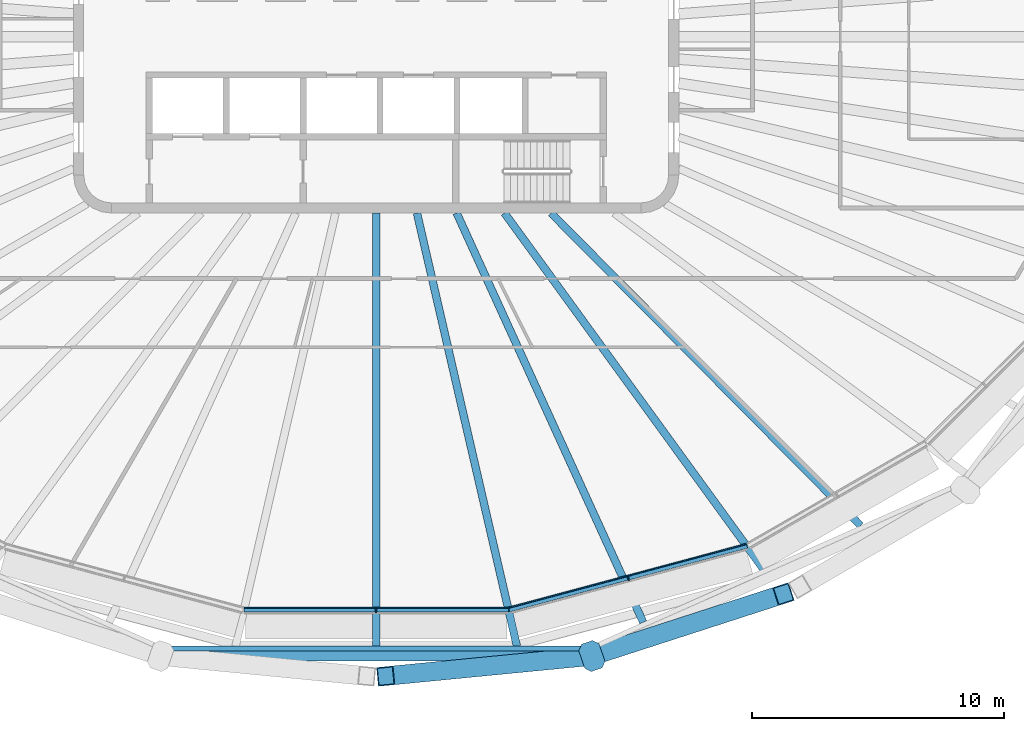
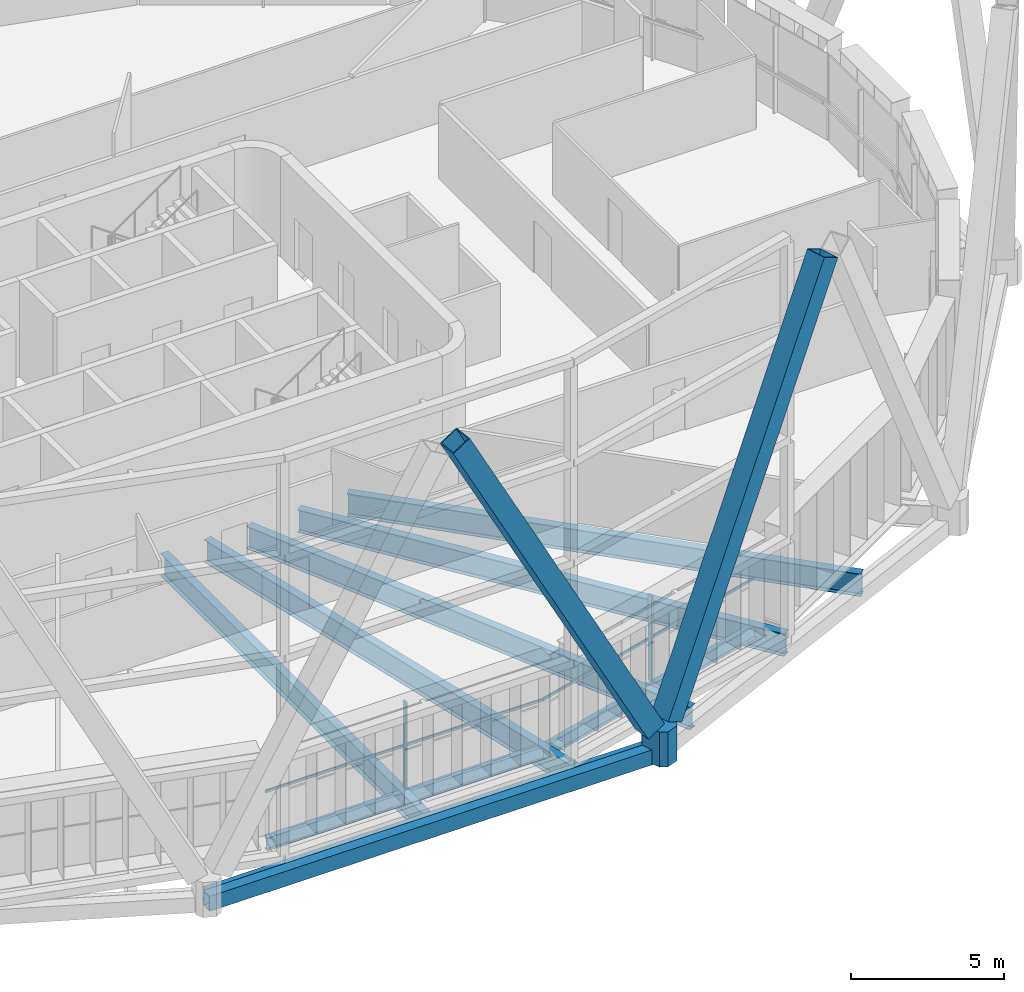
# One storey, part 4 of 22: 9 beams, 7 members, 2 elements without a shape of their own.
"""IFC4 building model written with IfcOpenShell, lengths in metres."""

from ifc_helpers import new_model, si_unit, direction, frame, origin, origin_2d, place, context, subcontext, project, spatial, polyline, rectangle, hollow_rectangle, i_section, outline, extrude, material, layer, layer_set, material_profile, profile_set, type_object, element, aggregate, save


model = new_model("IFC4")

# Units and contexts
model_context = context("Model", 3, precision=1e-05, world=origin(), true_north=direction((0.0, 1.0)))
body_context = subcontext(model_context, "Body", "Model", "MODEL_VIEW")
ifc_project = project(units=[si_unit("LENGTHUNIT", "METRE"), si_unit("AREAUNIT", "SQUARE_METRE"), si_unit("VOLUMEUNIT", "CUBIC_METRE"), si_unit("PLANEANGLEUNIT", "RADIAN"), si_unit("MASSUNIT", "GRAM", prefix="KILO")], contexts=[model_context])

# Site, building, storey
site_placement = place(None, origin())
site = spatial("IfcSite", under=ifc_project, at=site_placement, CompositionType="ELEMENT")
building_placement = place(site_placement, origin())
building = spatial("IfcBuilding", under=site, at=building_placement, Name="Sahrelin Media Tower", CompositionType="ELEMENT")
storey_placement = place(building_placement, frame((0.0, 0.0, 233.60009765625)))
storey = spatial("IfcBuildingStorey", under=building, at=storey_placement, Name="L50", CompositionType="ELEMENT", Elevation=233.60009765625)

# Members
ifc_material_1 = material(Name="Steel S460", Category="steel")
ifc_material_profile_1 = material_profile(ifc_material_1, hollow_rectangle(XDim=0.75, YDim=0.75, WallThickness=0.0400390625, at=origin_2d()), Name="Diagrid diagonal DG6")
ifc_profile_set_1 = profile_set([ifc_material_profile_1], Name="Steel S460")
member_type_1 = type_object("IfcMemberType", Name="Diagrid diagonal DG6", PredefinedType="BRACE", material=ifc_profile_set_1)
member_1_placement = place(storey_placement, frame((8.17822265625, -24.603759765625, 0.699951171875), z_axis=(-0.4709090869, -0.045846052821, 0.880989654488), x_axis=(0.096898351579, -0.995294282844, 0.0)))
element("IfcMember", 1, at=member_1_placement, inside=storey, type_object=member_type_1, Name="Diagrid diagonal D11-18", PredefinedType="BRACE", context=body_context, shape_type="SweptSolid", body=[
    extrude(hollow_rectangle(XDim=0.75, YDim=0.75, WallThickness=0.0400390625, at=origin_2d()), origin(), (0.0, 0.0, 1.0), 16.572021484375),
])
member_2_placement = place(storey_placement, frame((8.900146484375, -24.454833984375, 0.699951171875), z_axis=(0.440336452055, 0.142395958877, 0.886468950323), x_axis=(-0.307691505717, 0.951486172947, 0.0)))
element("IfcMember", 2, at=member_2_placement, inside=storey, type_object=member_type_1, Name="Diagrid diagonal D11-19", PredefinedType="BRACE", context=body_context, shape_type="SweptSolid", body=[
    extrude(hollow_rectangle(XDim=0.75, YDim=0.75, WallThickness=0.0400390625, at=origin_2d()), origin(), (0.0, 0.0, 1.0), 16.4697265625),
])
ifc_material_profile_2 = material_profile(ifc_material_1, outline(polyline([(0.375, -0.425048828125), (0.574951171875, -0.22509765625), (0.574951171875, 0.22509765625), (0.375, 0.425048828125), (-0.375, 0.425048828125), (-0.574951171875, 0.22509765625), (-0.574951171875, -0.22509765625), (-0.375, -0.425048828125), (0.375, -0.425048828125)])), Name="Diagrid node block 1150")
ifc_profile_set_2 = profile_set([ifc_material_profile_2], Name="Steel S460")
member_type_2 = type_object("IfcMemberType", Name="Diagrid node block 1150", PredefinedType="USERDEFINED", material=ifc_profile_set_2)
member_3_placement = place(storey_placement, frame((8.552490234375, -24.5673828125, -0.7001953125), z_axis=(0.0, 0.0, 1.0), x_axis=(0.328769398381, -0.944410230085, 0.0)))
element("IfcMember", 3, at=member_3_placement, inside=storey, type_object=member_type_2, Name="Diagrid node N11-09", ObjectType="NODE", PredefinedType="USERDEFINED", context=body_context, shape_type="SweptSolid", body=[
    extrude(outline(polyline([(0.375, -0.425048828125), (0.574951171875, -0.22509765625), (0.574951171875, 0.22509765625), (0.375, 0.425048828125), (-0.375, 0.425048828125), (-0.574951171875, 0.22509765625), (-0.574951171875, -0.22509765625), (-0.375, -0.425048828125), (0.375, -0.425048828125)])), origin(), (0.0, 0.0, 1.0), 1.400146484375),
])

# Beams
ifc_material_profile_3 = material_profile(ifc_material_1, hollow_rectangle(XDim=0.39990234375, YDim=0.60009765625, WallThickness=0.030029296875, at=origin_2d()), Name="Diagrid ring beam RB1")
ifc_profile_set_3 = profile_set([ifc_material_profile_3], Name="Steel S460")
beam_type_1 = type_object("IfcBeamType", Name="Diagrid ring beam RB1", PredefinedType="BEAM", material=ifc_profile_set_3)
beam_1_placement = place(storey_placement, frame((-8.552490234375, -24.5673828125, -0.4501953125), z_axis=(1.0, 0.0, 0.0), x_axis=(0.0, 1.0, 0.0)))
element("IfcBeam", 4, at=beam_1_placement, inside=storey, type_object=beam_type_1, Name="Diagrid ring beam RB11-08", PredefinedType="BEAM", context=body_context, shape_type="SweptSolid", body=[
    extrude(hollow_rectangle(XDim=0.39990234375, YDim=0.60009765625, WallThickness=0.030029296875, at=origin_2d()), origin(), (0.0, 0.0, 1.0), 17.10498046875),
])
ifc_material_2 = material(Name="Steel S355", Category="steel")
ifc_material_profile_4 = material_profile(ifc_material_2, i_section(OverallWidth=0.208740234375, OverallDepth=0.5283203125, WebThickness=0.009521484375, FlangeThickness=0.01318359375, FilletRadius=0.0126953125, at=origin_2d()), Name="UB 533x210x82")
ifc_profile_set_4 = profile_set([ifc_material_profile_4], Name="Steel S355")
beam_type_2 = type_object("IfcBeamType", Name="Edge beam EB6", PredefinedType="BEAM", material=ifc_profile_set_4)
beam_2_placement = place(storey_placement, frame((14.701904296875, -20.188720703125, -0.414306640625), z_axis=(-0.965929187001, -0.258806502428, 0.0), x_axis=(0.258806502428, -0.965929187001, 0.0)))
element("IfcBeam", 5, at=beam_2_placement, inside=storey, type_object=beam_type_2, Name="Edge beam L50-06", PredefinedType="BEAM", context=body_context, shape_type="SweptSolid", body=[
    extrude(i_section(OverallWidth=0.208740234375, OverallDepth=0.5283203125, WebThickness=0.009521484375, FlangeThickness=0.01318359375, FilletRadius=0.0126953125, at=origin_2d()), origin(), (0.0, 0.0, 1.0), 9.762451171875),
])
beam_3_placement = place(storey_placement, frame((5.243408203125, -22.71923828125, -0.414306640625), z_axis=(-1.0, 0.0, 0.0), x_axis=(0.0, -1.0, 0.0)))
element("IfcBeam", 6, at=beam_3_placement, inside=storey, type_object=beam_type_2, Name="Edge beam L50-07", PredefinedType="BEAM", context=body_context, shape_type="SweptSolid", body=[
    extrude(i_section(OverallWidth=0.208740234375, OverallDepth=0.5283203125, WebThickness=0.009521484375, FlangeThickness=0.01318359375, FilletRadius=0.0126953125, at=origin_2d()), origin(), (0.0, 0.0, 1.0), 10.48681640625),
])

# Curtain wall, member
ifc_material_3 = material(Name="Champagne anodised aluminium 6063-T6", Category="aluminium")
ifc_layer = layer(ifc_material_3, 0.14990234375)
ifc_layer_set = layer_set([ifc_layer], Name="Tower ribbon curtain wall")
curtain_wall_type = type_object("IfcCurtainWallType", Name="Tower ribbon curtain wall", PredefinedType="NOTDEFINED", material=ifc_layer_set)
curtain_wall_1_placement = place(storey_placement, frame((0.0, -22.869140625, 0.0), z_axis=(0.0, 0.0, 1.0), x_axis=(1.0, 0.0, 0.0)))
curtain_wall_1 = element("IfcCurtainWall", 7, at=curtain_wall_1_placement, inside=storey, type_object=curtain_wall_type, Name="L50:CW:L50-18", PredefinedType="NOTDEFINED")
ifc_material_profile_5 = material_profile(ifc_material_3, rectangle(XDim=0.06005859375, YDim=0.175048828125, at=origin_2d()), Name="Mullion 60x175")
ifc_profile_set_5 = profile_set([ifc_material_profile_5], Name="Champagne anodised aluminium 6063-T6")
member_type_3 = type_object("IfcMemberType", Name="Mullion 60x175 CW1B", PredefinedType="MULLION", material=ifc_profile_set_5)
member_4_placement = place(storey_placement, frame((0.0, -22.76171875, 0.0), z_axis=(0.0, 0.0, 1.0), x_axis=(1.0, 0.0, 0.0)))
member_4 = element("IfcMember", 8, at=member_4_placement, type_object=member_type_3, Name="L50:CWM:L50-18", PredefinedType="MULLION", context=body_context, shape_type="SweptSolid", body=[
    extrude(rectangle(XDim=0.06005859375, YDim=0.175048828125, at=origin_2d()), origin(), (0.0, 0.0, 1.0), 3.448486328125),
])

curtain_wall_2_placement = place(storey_placement, frame((10.025634765625, -21.596923828125, 0.0), z_axis=(0.0, 0.0, 1.0), x_axis=(1.0, 0.0, 0.0)))
curtain_wall_2 = element("IfcCurtainWall", 9, at=curtain_wall_2_placement, inside=storey, type_object=curtain_wall_type, Name="L50:CW:L50-19", PredefinedType="NOTDEFINED")
member_5_placement = place(storey_placement, frame((9.997802734375, -21.4931640625, 0.0), z_axis=(0.0, 0.0, 1.0), x_axis=(0.965925826289, 0.258819045103, 0.0)))
member_5 = element("IfcMember", 10, at=member_5_placement, type_object=member_type_3, Name="L50:CWM:L50-19", PredefinedType="MULLION", context=body_context, shape_type="SweptSolid", body=[
    extrude(rectangle(XDim=0.06005859375, YDim=0.175048828125, at=origin_2d()), origin(), (0.0, 0.0, 1.0), 3.448486328125),
])

# Beams
ifc_material_profile_6 = material_profile(ifc_material_2, i_section(OverallWidth=0.30322265625, OverallDepth=0.903076171875, WebThickness=0.01513671875, FlangeThickness=0.020263671875, FilletRadius=0.01904296875, at=origin_2d()), Name="UB 914x305x201")
ifc_profile_set_6 = profile_set([ifc_material_profile_6], Name="Steel S355")
beam_type_3 = type_object("IfcBeamType", Name="Radial primary beam PB11", PredefinedType="BEAM", material=ifc_profile_set_6)
beam_4_placement = place(storey_placement, frame((1.615478515625, -7.0, -0.6015625), z_axis=(0.224854447872, -0.974392363102, 0.0), x_axis=(0.974392363102, 0.224854447872, 0.0)))
element("IfcBeam", 11, at=beam_4_placement, inside=storey, type_object=beam_type_3, Name="Radial beam L50-19", PredefinedType="BEAM", context=body_context, shape_type="SweptSolid", body=[
    extrude(i_section(OverallWidth=0.30322265625, OverallDepth=0.903076171875, WebThickness=0.01513671875, FlangeThickness=0.020263671875, FilletRadius=0.01904296875, at=origin_2d()), origin(), (0.0, 0.0, 1.0), 17.623046875),
])
beam_5_placement = place(storey_placement, frame((5.088134765625, -7.0, -0.6015625), z_axis=(0.587974519617, -0.808879449783, 0.0), x_axis=(0.808879449783, 0.587974519617, 0.0)))
element("IfcBeam", 12, at=beam_5_placement, inside=storey, type_object=beam_type_3, Name="Radial beam L50-20", PredefinedType="BEAM", context=body_context, shape_type="SweptSolid", body=[
    extrude(i_section(OverallWidth=0.30322265625, OverallDepth=0.903076171875, WebThickness=0.01513671875, FlangeThickness=0.020263671875, FilletRadius=0.01904296875, at=origin_2d()), origin(), (0.0, 0.0, 1.0), 17.44970703125),
])
ifc_material_profile_7 = material_profile(ifc_material_2, i_section(OverallWidth=0.30322265625, OverallDepth=0.903076171875, WebThickness=0.01513671875, FlangeThickness=0.020263671875, FilletRadius=0.01904296875, at=origin_2d()), Name="UB 914x305x201")
ifc_profile_set_7 = profile_set([ifc_material_profile_7], Name="Steel S355")
beam_type_4 = type_object("IfcBeamType", Name="Radial secondary beam SB11", PredefinedType="BEAM", material=ifc_profile_set_7)
beam_6_placement = place(storey_placement, frame((0.0, -7.0, -0.6015625), z_axis=(0.0, -1.0, 0.0), x_axis=(1.0, 0.0, 0.0)))
element("IfcBeam", 13, at=beam_6_placement, inside=storey, type_object=beam_type_4, Name="Secondary beam L50-18", PredefinedType="BEAM", context=body_context, shape_type="SweptSolid", body=[
    extrude(i_section(OverallWidth=0.30322265625, OverallDepth=0.903076171875, WebThickness=0.01513671875, FlangeThickness=0.020263671875, FilletRadius=0.01904296875, at=origin_2d()), origin(), (0.0, 0.0, 1.0), 17.171875),
])
beam_7_placement = place(storey_placement, frame((3.190673828125, -7.0, -0.6015625), z_axis=(0.414752517697, -0.909934255353, 0.0), x_axis=(0.909934255353, 0.414752517697, 0.0)))
element("IfcBeam", 14, at=beam_7_placement, inside=storey, type_object=beam_type_4, Name="Secondary beam L50-19", PredefinedType="BEAM", context=body_context, shape_type="SweptSolid", body=[
    extrude(i_section(OverallWidth=0.30322265625, OverallDepth=0.903076171875, WebThickness=0.01513671875, FlangeThickness=0.020263671875, FilletRadius=0.01904296875, at=origin_2d()), origin(), (0.0, 0.0, 1.0), 17.83642578125),
])
beam_8_placement = place(storey_placement, frame((6.93408203125, -7.0, -0.6015625), z_axis=(0.703747860582, -0.7104498214, 0.0), x_axis=(0.7104498214, 0.703747860582, 0.0)))
element("IfcBeam", 15, at=beam_8_placement, inside=storey, type_object=beam_type_4, Name="Secondary beam L50-20", PredefinedType="BEAM", context=body_context, shape_type="SweptSolid", body=[
    extrude(i_section(OverallWidth=0.30322265625, OverallDepth=0.903076171875, WebThickness=0.01513671875, FlangeThickness=0.020263671875, FilletRadius=0.01904296875, at=origin_2d()), origin(), (0.0, 0.0, 1.0), 17.44921875),
])
ifc_material_profile_8 = material_profile(ifc_material_2, i_section(OverallWidth=0.1904296875, OverallDepth=0.45703125, WebThickness=0.009033203125, FlangeThickness=0.014404296875, FilletRadius=0.01025390625, at=origin_2d()), Name="UB 457x191x74")
ifc_profile_set_8 = profile_set([ifc_material_profile_8], Name="Steel S355")
beam_type_5 = type_object("IfcBeamType", Name="Tie chord TC5", PredefinedType="BEAM", material=ifc_profile_set_8)
beam_9_placement = place(storey_placement, frame((8.48876953125, -24.26708984375, -0.378662109375), z_axis=(-1.0, 0.0, 0.0), x_axis=(0.0, -1.0, 0.0)))
element("IfcBeam", 16, at=beam_9_placement, inside=storey, type_object=beam_type_5, Name="Tie chord L50-04", PredefinedType="BEAM", context=body_context, shape_type="SweptSolid", body=[
    extrude(i_section(OverallWidth=0.1904296875, OverallDepth=0.45703125, WebThickness=0.009033203125, FlangeThickness=0.014404296875, FilletRadius=0.01025390625, at=origin_2d()), origin(), (0.0, 0.0, 1.0), 16.9775390625),
])

# Member
ifc_material_profile_9 = material_profile(ifc_material_3, rectangle(XDim=0.050048828125, YDim=0.110107421875, at=origin_2d()), Name="Transom 50x110")
ifc_profile_set_9 = profile_set([ifc_material_profile_9], Name="Champagne anodised aluminium 6063-T6")
member_type_4 = type_object("IfcMemberType", Name="Transom 50x110 CW1B", PredefinedType="USERDEFINED", material=ifc_profile_set_9)
member_6_placement = place(storey_placement, frame((-5.2275390625, -22.649169921875, 1.599853515625), z_axis=(1.0, 0.0, 0.0), x_axis=(0.0, 1.0, 0.0)))
member_6 = element("IfcMember", 17, at=member_6_placement, type_object=member_type_4, Name="L50:CWT:L50-18", ObjectType="TRANSOM", PredefinedType="USERDEFINED", context=body_context, shape_type="SweptSolid", body=[
    extrude(rectangle(XDim=0.050048828125, YDim=0.110107421875, at=origin_2d()), origin(), (0.0, 0.0, 1.0), 10.455078125),
])

aggregate(curtain_wall_1, [member_4, member_6])

member_7_placement = place(storey_placement, frame((5.26904296875, -22.643798828125, 1.599853515625), z_axis=(0.965921510089, 0.258835152843, 0.0), x_axis=(-0.258835152843, 0.965921510089, 0.0)))
member_7 = element("IfcMember", 18, at=member_7_placement, type_object=member_type_4, Name="L50:CWT:L50-19", ObjectType="TRANSOM", PredefinedType="USERDEFINED", context=body_context, shape_type="SweptSolid", body=[
    extrude(rectangle(XDim=0.050048828125, YDim=0.110107421875, at=origin_2d()), origin(), (0.0, 0.0, 1.0), 9.731201171875),
])

aggregate(curtain_wall_2, [member_5, member_7])

save(model, "model.ifc")
